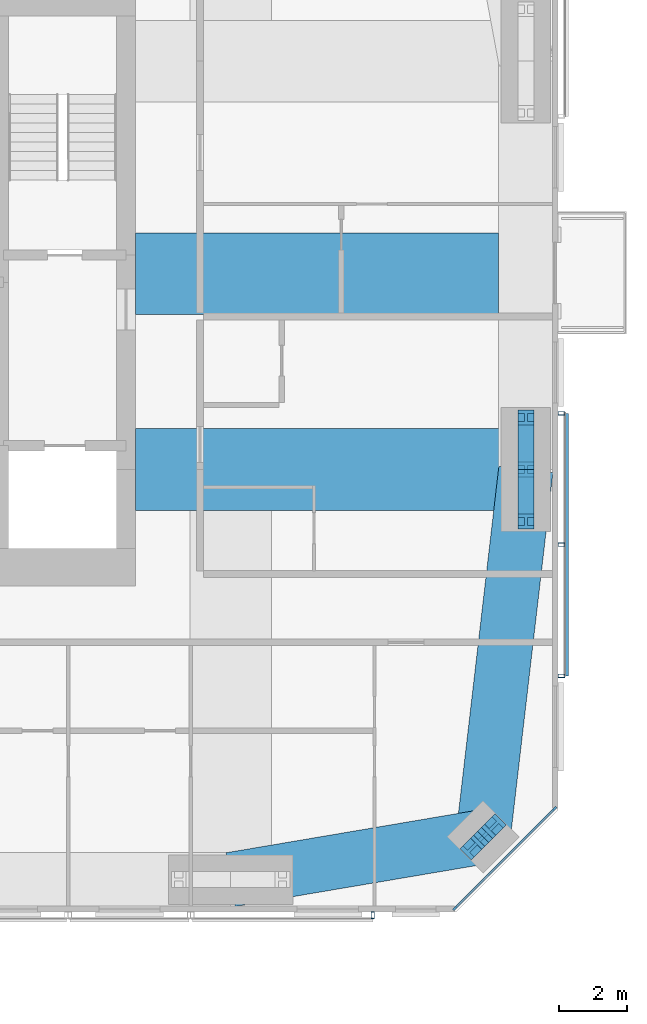
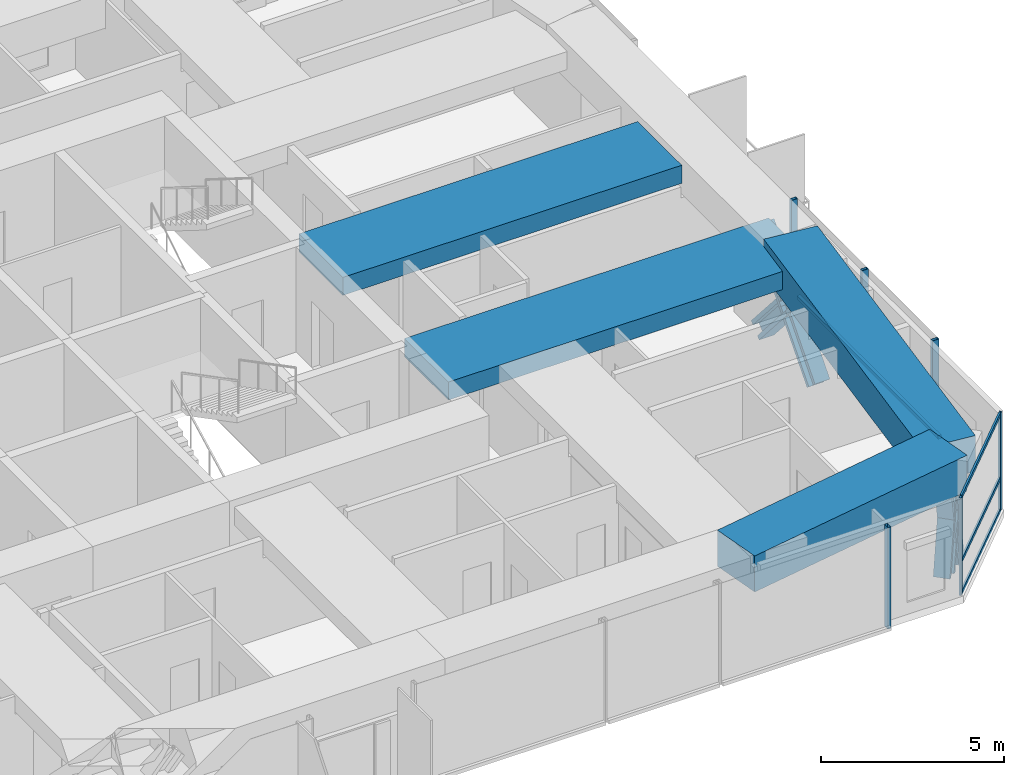
# One storey, part 7 of 18: 18 members, 4 beams, 3 elements without a shape of their own.
"""IFC4 building model written with IfcOpenShell, lengths in metres."""

from ifc_helpers import new_model, si_unit, direction, frame, origin, origin_2d, place, context, subcontext, project, spatial, rectangle, hollow_rectangle, i_section, extrude, material, material_profile, profile_set, type_object, element, aggregate, save


model = new_model("IFC4")

# Units and contexts
model_context = context("Model", 3, precision=1e-05, world=origin(), true_north=direction((0.0, 1.0)))
body_context = subcontext(model_context, "Body", "Model", "MODEL_VIEW")
ifc_project = project(units=[si_unit("LENGTHUNIT", "METRE"), si_unit("AREAUNIT", "SQUARE_METRE"), si_unit("VOLUMEUNIT", "CUBIC_METRE"), si_unit("PLANEANGLEUNIT", "RADIAN"), si_unit("MASSUNIT", "GRAM", prefix="KILO")], contexts=[model_context])

# Site, building, storey
site_placement = place(None, origin())
site = spatial("IfcSite", under=ifc_project, at=site_placement, CompositionType="ELEMENT")
building_placement = place(site_placement, origin())
building = spatial("IfcBuilding", under=site, at=building_placement, Name="Jalousie Tower", CompositionType="ELEMENT")
storey_placement = place(building_placement, frame((0.0, 0.0, 231.949951171875)))
storey = spatial("IfcBuildingStorey", under=building, at=storey_placement, Name="L63", CompositionType="ELEMENT", Elevation=231.949951171875)

# Curtain wall, members
ifc_material_1 = material(Name="Aluminium curtain wall", Category="aluminium")
curtain_wall_type_1 = type_object("IfcCurtainWallType", Name="CORNER WINDOW WALL", PredefinedType="USERDEFINED", material=ifc_material_1)
curtain_wall_1_placement = place(storey_placement, origin())
curtain_wall_1 = element("IfcCurtainWall", 1, at=curtain_wall_1_placement, inside=storey, type_object=curtain_wall_type_1, Name="Corner Window Wall L63 2", ObjectType="CORNER WINDOW WALL", PredefinedType="USERDEFINED")
ifc_material_2 = material(Name="Aluminium mullion", Category="aluminium")
ifc_material_profile_1 = material_profile(ifc_material_2, rectangle(XDim=0.06005859375, YDim=0.14990234375, at=origin_2d()), Name="MULLION 60x150")
ifc_profile_set_1 = profile_set([ifc_material_profile_1], Name="Aluminium mullion")
member_type_1 = type_object("IfcMemberType", Name="CORNER WINDOW WALL MULLION", PredefinedType="MULLION", material=ifc_profile_set_1)
member_1_placement = place(storey_placement, frame((53.469970703125, 0.108642578125, 0.0), z_axis=(0.0, 0.0, 1.0), x_axis=(-0.707106781187, 0.707106781187, 0.0)))
member_1 = element("IfcMember", 2, at=member_1_placement, type_object=member_type_1, Name="CW-C mullion 1", PredefinedType="MULLION", context=body_context, shape_type="SweptSolid", body=[
    extrude(rectangle(XDim=0.06005859375, YDim=0.14990234375, at=origin_2d()), origin(), (0.0, 0.0, 1.0), 3.260009765625),
])
member_2_placement = place(storey_placement, frame((56.391357421875, 3.030029296875, 0.0), z_axis=(0.0, 0.0, 1.0), x_axis=(-0.707106781187, 0.707106781187, 0.0)))
member_2 = element("IfcMember", 3, at=member_2_placement, type_object=member_type_1, Name="CW-C mullion 2", PredefinedType="MULLION", context=body_context, shape_type="SweptSolid", body=[
    extrude(rectangle(XDim=0.06005859375, YDim=0.14990234375, at=origin_2d()), origin(), (0.0, 0.0, 1.0), 3.260009765625),
])
ifc_material_3 = material(Name="Aluminium transom", Category="aluminium")
ifc_material_profile_2 = material_profile(ifc_material_3, rectangle(XDim=0.06005859375, YDim=0.1201171875, at=origin_2d()), Name="TRANSOM 60x120")
ifc_profile_set_2 = profile_set([ifc_material_profile_2], Name="Aluminium transom")
member_type_2 = type_object("IfcMemberType", Name="CORNER WINDOW WALL TRANSOM", PredefinedType="USERDEFINED", material=ifc_profile_set_2)
member_3_placement = place(storey_placement, frame((53.4912109375, 0.1298828125, 0.030029296875), z_axis=(0.707106781187, 0.707106781187, 0.0), x_axis=(-0.707106781187, 0.707106781187, 0.0)))
member_3 = element("IfcMember", 4, at=member_3_placement, type_object=member_type_2, Name="CW-C transom 1.1", ObjectType="TRANSOM", PredefinedType="USERDEFINED", context=body_context, shape_type="SweptSolid", body=[
    extrude(rectangle(XDim=0.06005859375, YDim=0.1201171875, at=origin_2d()), origin(), (0.0, 0.0, 1.0), 4.0712890625),
])
member_4_placement = place(storey_placement, frame((53.4912109375, 0.1298828125, 1.10009765625), z_axis=(0.707106781187, 0.707106781187, 0.0), x_axis=(-0.707106781187, 0.707106781187, 0.0)))
member_4 = element("IfcMember", 5, at=member_4_placement, type_object=member_type_2, Name="CW-C transom 1.2", ObjectType="TRANSOM", PredefinedType="USERDEFINED", context=body_context, shape_type="SweptSolid", body=[
    extrude(rectangle(XDim=0.06005859375, YDim=0.1201171875, at=origin_2d()), origin(), (0.0, 0.0, 1.0), 4.0712890625),
])
member_5_placement = place(storey_placement, frame((53.4912109375, 0.1298828125, 3.22998046875), z_axis=(0.707106781187, 0.707106781187, 0.0), x_axis=(-0.707106781187, 0.707106781187, 0.0)))
member_5 = element("IfcMember", 6, at=member_5_placement, type_object=member_type_2, Name="CW-C transom 1.3", ObjectType="TRANSOM", PredefinedType="USERDEFINED", context=body_context, shape_type="SweptSolid", body=[
    extrude(rectangle(XDim=0.06005859375, YDim=0.1201171875, at=origin_2d()), origin(), (0.0, 0.0, 1.0), 4.0712890625),
])
aggregate(curtain_wall_1, [member_1, member_2, member_3, member_4, member_5])

# Members
ifc_material_4 = material(Name="Steel ASTM A992 Grade 50", Category="steel")
ifc_material_profile_3 = material_profile(ifc_material_4, i_section(OverallWidth=0.472412109375, OverallDepth=0.5791015625, WebThickness=0.094970703125, FlangeThickness=0.1298828125, at=origin_2d()), Name="W14X808")
ifc_profile_set_3 = profile_set([ifc_material_profile_3], Name="Steel ASTM A992 Grade 50")
member_type_3 = type_object("IfcMemberType", Name="PERIMETER BRACE W14X808", PredefinedType="BRACE", material=ifc_profile_set_3)
for number, where, z_axis, x_axis, name in (
    (7, (53.974609375, 1.888916015625, -0.599853515625), (0.17618653952, 0.176051427143, 0.968485517854), (-0.706835495285, 0.707377963048, 0.0), "Perimeter brace 05 L63 part 1"),
    (8, (54.29296875, 2.20703125, 1.150146484375), (0.176051427143, 0.17618653952, 0.968485517854), (-0.707377963048, 0.706835495285, 0.0), "Perimeter brace 05 L63 part 2"),
    (9, (54.611083984375, 2.525390625, -0.599853515625), (-0.176051427143, -0.17618653952, 0.968485517854), (0.707377963048, -0.706835495285, 0.0), "Perimeter brace 05 L63 part 3"),
    (10, (54.29296875, 2.20703125, 1.150146484375), (-0.17618653952, -0.176051427143, 0.968485517854), (0.706835495285, -0.707377963048, 0.0), "Perimeter brace 05 L63 part 4"),
):
    element("IfcMember", number, at=place(storey_placement, frame(where, z_axis=z_axis, x_axis=x_axis)), inside=storey, type_object=member_type_3, Name=name, PredefinedType="BRACE", context=body_context, shape_type="SweptSolid", body=[
        extrude(i_section(OverallWidth=0.472412109375, OverallDepth=0.5791015625, WebThickness=0.094970703125, FlangeThickness=0.1298828125, at=origin_2d()), origin(), (0.0, 0.0, 1.0), 1.806884765625),
    ])
for number, where, z_axis, x_axis, name in (
    (11, (55.550048828125, 11.47509765625, -0.599853515625), (0.0, 0.65695436777, 0.753930340726), (-1.0, 0.0, 0.0), "Perimeter brace 06 L63 part 1"),
    (12, (55.550048828125, 13.0, 1.150146484375), (0.0, 0.65695436777, 0.753930340726), (-1.0, 0.0, 0.0), "Perimeter brace 06 L63 part 2"),
    (13, (55.550048828125, 14.52490234375, -0.599853515625), (0.0, -0.65695436777, 0.753930340726), (1.0, 0.0, 0.0), "Perimeter brace 06 L63 part 3"),
    (14, (55.550048828125, 13.0, 1.150146484375), (0.0, -0.65695436777, 0.753930340726), (1.0, 0.0, 0.0), "Perimeter brace 06 L63 part 4"),
):
    element("IfcMember", number, at=place(storey_placement, frame(where, z_axis=z_axis, x_axis=x_axis)), inside=storey, type_object=member_type_3, Name=name, PredefinedType="BRACE", context=body_context, shape_type="SweptSolid", body=[
        extrude(i_section(OverallWidth=0.472412109375, OverallDepth=0.5791015625, WebThickness=0.094970703125, FlangeThickness=0.1298828125, at=origin_2d()), origin(), (0.0, 0.0, 1.0), 2.3212890625),
    ])

# Beams
ifc_material_5 = material(Name="Concrete f'c 40 MPa", Category="concrete")
ifc_material_profile_4 = material_profile(ifc_material_5, rectangle(XDim=1.60009765625, YDim=1.199951171875, at=origin_2d()), Name="RC 1600x1200")
ifc_profile_set_4 = profile_set([ifc_material_profile_4], Name="Concrete f'c 40 MPa")
beam_type_1 = type_object("IfcBeamType", Name="RC BEAM 1600x1200", PredefinedType="BEAM", material=ifc_profile_set_4)
beam_1_placement = place(storey_placement, frame((46.875, 0.949951171875, 2.900146484375), z_axis=(0.985942997446, 0.167082033105, 0.0), x_axis=(-0.167082033105, 0.985942997446, 0.0)))
element("IfcBeam", 15, at=beam_1_placement, inside=storey, type_object=beam_type_1, Name="Edge band beam 04-05 under L64", PredefinedType="BEAM", context=body_context, shape_type="SweptSolid", body=[
    extrude(rectangle(XDim=1.60009765625, YDim=1.199951171875, at=origin_2d()), origin(), (0.0, 0.0, 1.0), 7.523681640625),
])
beam_2_placement = place(storey_placement, frame((54.29296875, 2.20703125, 2.900146484375), z_axis=(0.115690063472, 0.993285361421, 0.0), x_axis=(-0.993285361421, 0.115690063472, 0.0)))
element("IfcBeam", 16, at=beam_2_placement, inside=storey, type_object=beam_type_1, Name="Edge band beam 05-06 under L64", PredefinedType="BEAM", context=body_context, shape_type="SweptSolid", body=[
    extrude(rectangle(XDim=1.60009765625, YDim=1.199951171875, at=origin_2d()), origin(), (0.0, 0.0, 1.0), 10.865966796875),
])
ifc_material_6 = material(Name="Concrete f'c 40 MPa", Category="concrete")
ifc_material_profile_5 = material_profile(ifc_material_6, rectangle(XDim=2.39990234375, YDim=0.60009765625, at=origin_2d()), Name="RC 2400x600")
ifc_profile_set_5 = profile_set([ifc_material_profile_5], Name="Concrete f'c 40 MPa")
beam_type_2 = type_object("IfcBeamType", Name="RC BEAM 2400x600", PredefinedType="BEAM", material=ifc_profile_set_5)
beam_3_placement = place(storey_placement, frame((55.550048828125, 13.0, 2.9599609375), z_axis=(-1.0, 0.0, 0.0), x_axis=(0.0, -1.0, 0.0)))
element("IfcBeam", 17, at=beam_3_placement, inside=storey, type_object=beam_type_2, Name="Floor band beam under L64", PredefinedType="BEAM", context=body_context, shape_type="SweptSolid", body=[
    extrude(rectangle(XDim=2.39990234375, YDim=0.60009765625, at=origin_2d()), origin(), (0.0, 0.0, 1.0), 11.47509765625),
])
beam_4_placement = place(storey_placement, frame((44.074951171875, 18.75, 2.9599609375), z_axis=(1.0, 0.0, 0.0), x_axis=(0.0, 1.0, 0.0)))
element("IfcBeam", 18, at=beam_4_placement, inside=storey, type_object=beam_type_2, Name="Floor band beam under L64", PredefinedType="BEAM", context=body_context, shape_type="SweptSolid", body=[
    extrude(rectangle(XDim=2.39990234375, YDim=0.60009765625, at=origin_2d()), origin(), (0.0, 0.0, 1.0), 10.675048828125),
])

# Curtain wall, member
ifc_material_7 = material(Name="Perforated aluminium sheet", Category="aluminium")
curtain_wall_type_2 = type_object("IfcCurtainWallType", Name="SOLAR SCREEN SS-2", PredefinedType="USERDEFINED", material=ifc_material_7)
curtain_wall_2_placement = place(storey_placement, origin())
curtain_wall_2 = element("IfcCurtainWall", 19, at=curtain_wall_2_placement, inside=storey, type_object=curtain_wall_type_2, Name="Solar screen L63", ObjectType="SOLAR SCREEN SS-2", PredefinedType="USERDEFINED")
ifc_material_8 = material(Name="Steel ASTM A500 Grade C", Category="steel")
ifc_material_profile_6 = material_profile(ifc_material_8, hollow_rectangle(XDim=0.1015625, YDim=0.203125, WallThickness=0.0078125, at=origin_2d()), Name="HSS8X4X5/16")
ifc_profile_set_6 = profile_set([ifc_material_profile_6], Name="Steel ASTM A500 Grade C")
member_type_4 = type_object("IfcMemberType", Name="SOLAR SCREEN SS-2 MULLION", PredefinedType="MULLION", material=ifc_profile_set_6)
member_6_placement = place(storey_placement, frame((51.050048828125, -0.0966796875, -0.119873046875), z_axis=(0.0, 0.0, 1.0), x_axis=(1.0, 0.0, 0.0)))
member_6 = element("IfcMember", 20, at=member_6_placement, type_object=member_type_4, Name="SS2 post 2", PredefinedType="MULLION", context=body_context, shape_type="SweptSolid", body=[
    extrude(hollow_rectangle(XDim=0.1015625, YDim=0.203125, WallThickness=0.0078125, at=origin_2d()), origin(), (0.0, 0.0, 1.0), 3.3798828125),
])
aggregate(curtain_wall_2, [member_6])

# Curtain wall, members
curtain_wall_3_placement = place(storey_placement, origin())
curtain_wall_3 = element("IfcCurtainWall", 21, at=curtain_wall_3_placement, inside=storey, type_object=curtain_wall_type_2, Name="Solar screen L63", ObjectType="SOLAR SCREEN SS-2", PredefinedType="USERDEFINED")
member_7_placement = place(storey_placement, frame((56.5966796875, 6.938232421875, -0.119873046875), z_axis=(0.0, 0.0, 1.0), x_axis=(0.0, 1.0, 0.0)))
member_7 = element("IfcMember", 22, at=member_7_placement, type_object=member_type_4, Name="SS2 post 1", PredefinedType="MULLION", context=body_context, shape_type="SweptSolid", body=[
    extrude(hollow_rectangle(XDim=0.1015625, YDim=0.203125, WallThickness=0.0078125, at=origin_2d()), origin(), (0.0, 0.0, 1.0), 3.3798828125),
])
member_8_placement = place(storey_placement, frame((56.5966796875, 10.79345703125, -0.119873046875), z_axis=(0.0, 0.0, 1.0), x_axis=(0.0, 1.0, 0.0)))
member_8 = element("IfcMember", 23, at=member_8_placement, type_object=member_type_4, Name="SS2 post 2", PredefinedType="MULLION", context=body_context, shape_type="SweptSolid", body=[
    extrude(hollow_rectangle(XDim=0.1015625, YDim=0.203125, WallThickness=0.0078125, at=origin_2d()), origin(), (0.0, 0.0, 1.0), 3.3798828125),
])
member_9_placement = place(storey_placement, frame((56.5966796875, 14.6484375, -0.119873046875), z_axis=(0.0, 0.0, 1.0), x_axis=(0.0, 1.0, 0.0)))
member_9 = element("IfcMember", 24, at=member_9_placement, type_object=member_type_4, Name="SS2 post 3", PredefinedType="MULLION", context=body_context, shape_type="SweptSolid", body=[
    extrude(hollow_rectangle(XDim=0.1015625, YDim=0.203125, WallThickness=0.0078125, at=origin_2d()), origin(), (0.0, 0.0, 1.0), 3.3798828125),
])
ifc_material_9 = material(Name="Extruded aluminium screen rail", Category="aluminium")
ifc_material_profile_7 = material_profile(ifc_material_9, rectangle(XDim=0.1015625, YDim=0.1201171875, at=origin_2d()), Name="RAIL 102x120")
ifc_profile_set_7 = profile_set([ifc_material_profile_7], Name="Extruded aluminium screen rail")
member_type_5 = type_object("IfcMemberType", Name="SOLAR SCREEN SS-2 TRANSOM", PredefinedType="USERDEFINED", material=ifc_profile_set_7)
member_10_placement = place(storey_placement, frame((56.7490234375, 6.938232421875, -0.06005859375), z_axis=(0.0, 1.0, 0.0), x_axis=(-1.0, 0.0, 0.0)))
member_10 = element("IfcMember", 25, at=member_10_placement, type_object=member_type_5, Name="SS2 rail", ObjectType="TRANSOM", PredefinedType="USERDEFINED", context=body_context, shape_type="SweptSolid", body=[
    extrude(rectangle(XDim=0.1015625, YDim=0.1201171875, at=origin_2d()), origin(), (0.0, 0.0, 1.0), 7.710205078125),
])
aggregate(curtain_wall_3, [member_7, member_8, member_9, member_10])

save(model, "model.ifc")
